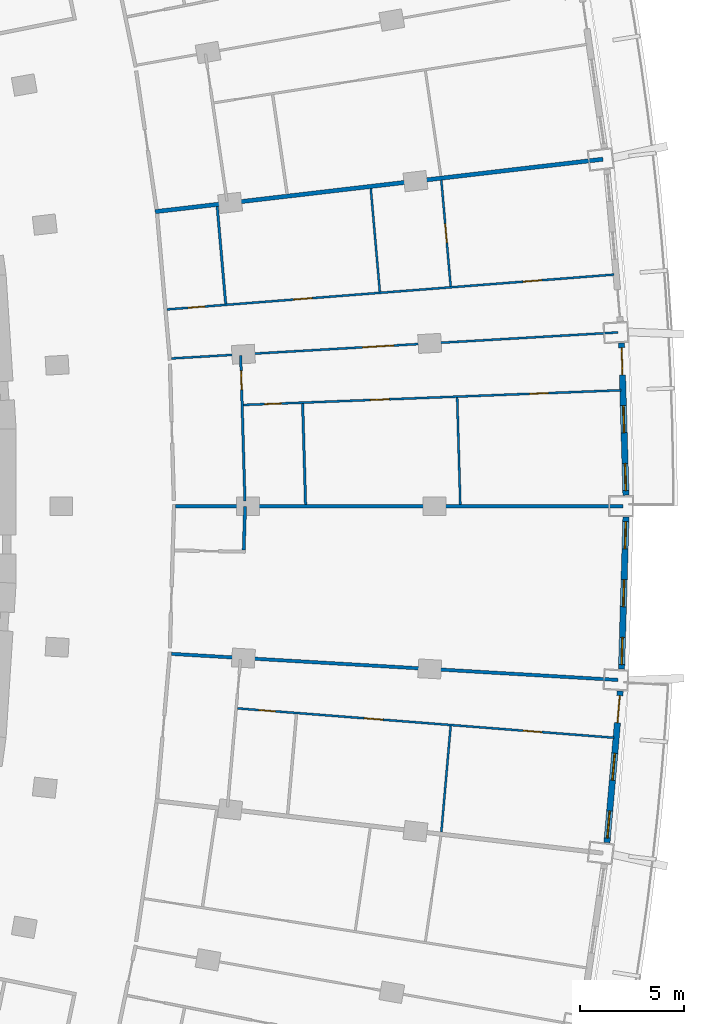
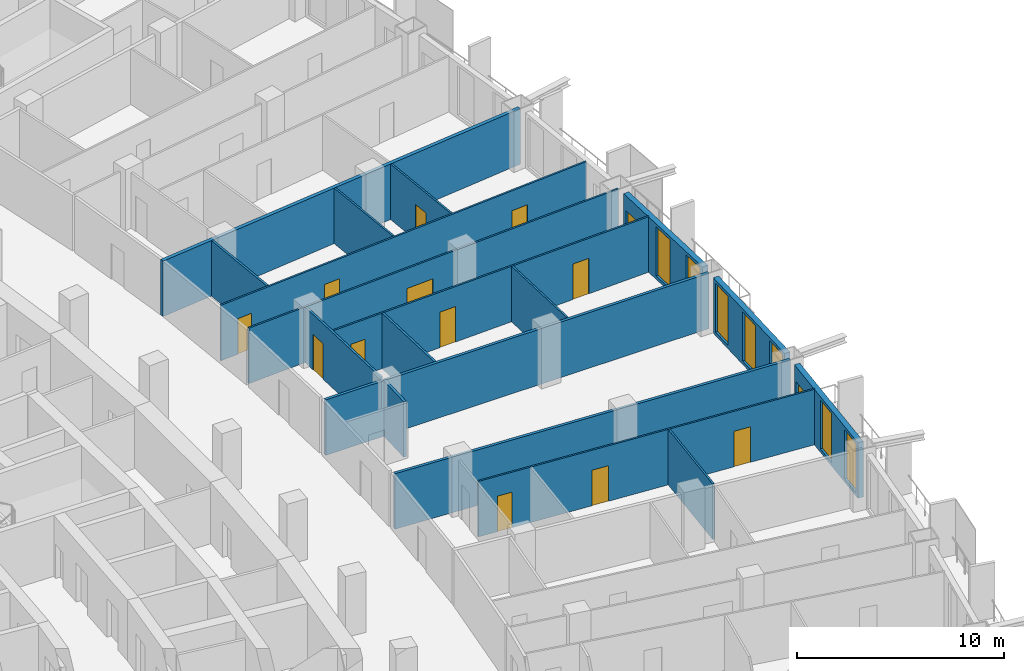
# One storey, part 18 of 25: 18 walls, 14 doors, 7 windows, 21 openings.
"""IFC4 building model written with IfcOpenShell, lengths in metres."""

from ifc_helpers import new_model, si_unit, direction, frame, frame_2d, origin, place, context, subcontext, project, spatial, rectangle, extrude, material, layer, layer_set, type_object, element, fill, save


model = new_model("IFC4")

# Units and contexts
model_context = context("Model", 3, precision=1e-05, world=origin(), true_north=direction((0.0, 1.0)))
body_context = subcontext(model_context, "Body", "Model", "MODEL_VIEW")
ifc_project = project(units=[si_unit("LENGTHUNIT", "METRE"), si_unit("AREAUNIT", "SQUARE_METRE"), si_unit("VOLUMEUNIT", "CUBIC_METRE"), si_unit("PLANEANGLEUNIT", "RADIAN"), si_unit("MASSUNIT", "GRAM", prefix="KILO")], contexts=[model_context])

# Site, building, storey
site_placement = place(None, origin())
site = spatial("IfcSite", under=ifc_project, at=site_placement, CompositionType="ELEMENT")
building_placement = place(site_placement, origin())
building = spatial("IfcBuilding", under=site, at=building_placement, Name="Alderwake Tower", CompositionType="ELEMENT")
storey_placement = place(building_placement, frame((0.0, 0.0, 57.199951171875)))
storey = spatial("IfcBuildingStorey", under=building, at=storey_placement, Name="L13", CompositionType="ELEMENT", Elevation=57.199951171875)

# Walls
ifc_material_1 = material(Name="Gypsum board on metal studs, rated")
ifc_layer_1 = layer(ifc_material_1, 0.159912109375)
ifc_layer_set_1 = layer_set([ifc_layer_1], Name="Corridor wall 160")
wall_type_1 = type_object("IfcWallType", Name="Corridor wall 160", PredefinedType="PARTITIONING", material=ifc_layer_set_1)
wall_1_placement = place(storey_placement, frame((62.45703125, 52.679931640625, 0.0), z_axis=(0.0, 0.0, 1.0), x_axis=(-0.998297563593, 0.058326447893, 0.0)))
element("IfcWall", 1, at=wall_1_placement, inside=storey, type_object=wall_type_1, Name="WL/L13/W39", PredefinedType="PARTITIONING", context=body_context, shape_type="SweptSolid", body=[
    extrude(rectangle(XDim=21.41845703125, YDim=0.159912109375, at=frame_2d((10.709228515625, 0.0))), origin(), (0.0, 0.0, 1.0), 3.280029296875),
])
wall_2_placement = place(storey_placement, frame((62.699951171875, 60.9990234375, 0.0), z_axis=(0.0, 0.0, 1.0), x_axis=(-1.0, 0.0, 0.0)))
element("IfcWall", 2, at=wall_2_placement, inside=storey, type_object=wall_type_1, Name="WL/L13/W40", PredefinedType="PARTITIONING", context=body_context, shape_type="SweptSolid", body=[
    extrude(rectangle(XDim=21.4208984375, YDim=0.159912109375, at=frame_2d((10.71044921875, 0.0))), origin(), (0.0, 0.0, 1.0), 3.280029296875),
])

# Wall, openings, door, windows
ifc_material_2 = material(Name="Precast concrete C50/60 spandrel panel", Category="concrete")
ifc_layer_2 = layer(ifc_material_2, 0.300048828125)
ifc_layer_set_2 = layer_set([ifc_layer_2], Name="External wall EW1 Precast concrete C50/60 spandrel")
wall_type_2 = type_object("IfcWallType", Name="External wall EW1 Precast concrete C50/60 spandrel", PredefinedType="SOLIDWALL", material=ifc_layer_set_2)
wall_3_placement = place(storey_placement, frame((61.9248046875, 44.89453125, 0.0), z_axis=(0.0, 0.0, 1.0), x_axis=(0.087361569519, 0.996176669156, 0.0)))
wall_3 = element("IfcWall", 3, at=wall_3_placement, inside=storey, type_object=wall_type_2, Name="External wall 15", PredefinedType="SOLIDWALL", context=body_context, shape_type="SweptSolid", body=[
    extrude(rectangle(XDim=7.28271484375, YDim=0.300048828125, at=frame_2d((3.641357421875, 0.0))), origin(), (0.0, 0.0, 1.0), 3.280029296875),
])
opening_1_placement = place(wall_3_placement, frame((0.218994140625, 0.0, 0.199951171875)))
opening_1 = element("IfcOpeningElement", 4, at=opening_1_placement, cuts=wall_3, Name="Opening W1", PredefinedType="OPENING", context=body_context, shape_type="SweptSolid", body=[
    extrude(rectangle(XDim=1.300048828125, YDim=2.89990234375, at=frame_2d((0.64990234375, 1.449951171875))), frame((0.0, 0.159912109375, 0.0), z_axis=(0.0, -1.0, 0.0), x_axis=(1.0, 0.0, 0.0)), (0.0, 0.0, 1.0), 0.320068359375),
])
opening_2_placement = place(wall_3_placement, frame((2.9912109375, 0.0, 0.199951171875)))
opening_2 = element("IfcOpeningElement", 5, at=opening_2_placement, cuts=wall_3, Name="Opening W1", PredefinedType="OPENING", context=body_context, shape_type="SweptSolid", body=[
    extrude(rectangle(XDim=1.300048828125, YDim=2.89990234375, at=frame_2d((0.64990234375, 1.449951171875))), frame((0.0, 0.159912109375, 0.0), z_axis=(0.0, -1.0, 0.0), x_axis=(1.0, 0.0, 0.0)), (0.0, 0.0, 1.0), 0.320068359375),
])
opening_3_placement = place(wall_3_placement, frame((5.763671875, 0.0, 0.0)))
opening_3 = element("IfcOpeningElement", 6, at=opening_3_placement, cuts=wall_3, Name="Opening D06", PredefinedType="OPENING", context=body_context, shape_type="SweptSolid", body=[
    extrude(rectangle(XDim=1.300048828125, YDim=2.39990234375, at=frame_2d((0.64990234375, 1.199951171875))), frame((0.0, 0.159912109375, 0.0), z_axis=(0.0, -1.0, 0.0), x_axis=(1.0, 0.0, 0.0)), (0.0, 0.0, 1.0), 0.320068359375),
])
ifc_material_3 = material(Name="Bronze tinted glass in aluminium frame", Category="aluminium")
door_type_1 = type_object("IfcDoorType", Name="Balcony door BD sliding", OperationType="SLIDING_TO_LEFT", PredefinedType="DOOR", material=ifc_material_3)
door_1_placement = place(opening_3_placement, origin())
door_1 = element("IfcDoor", 7, at=door_1_placement, inside=storey, type_object=door_type_1, Name="Door D06", OperationType="SLIDING_TO_LEFT", OverallHeight=2.39990234375, OverallWidth=1.300048828125, PredefinedType="DOOR", context=body_context, shape_type="SweptSolid", body=[
    extrude(rectangle(XDim=1.300048828125, YDim=2.39990234375, at=frame_2d((0.64990234375, 1.199951171875))), frame((0.0, 0.02490234375, 0.0), z_axis=(0.0, -1.0, 0.0), x_axis=(1.0, 0.0, 0.0)), (0.0, 0.0, 1.0), 0.050048828125),
])
fill(opening_3, door_1)
ifc_material_4 = material(Name="Bronze tinted glass in aluminium frame", Category="aluminium")
window_type = type_object("IfcWindowType", Name="Window W1 tall fixed and vent", PartitioningType="DOUBLE_PANEL_VERTICAL", PredefinedType="WINDOW", material=ifc_material_4)
window_1_placement = place(opening_1_placement, origin())
window_1 = element("IfcWindow", 8, at=window_1_placement, inside=storey, type_object=window_type, Name="Window W1 tall fixed and vent", OverallHeight=2.89990234375, OverallWidth=1.300048828125, PartitioningType="DOUBLE_PANEL_VERTICAL", PredefinedType="WINDOW", context=body_context, shape_type="SweptSolid", body=[
    extrude(rectangle(XDim=1.300048828125, YDim=2.89990234375, at=frame_2d((0.64990234375, 1.449951171875))), frame((0.0, 0.030029296875, 0.0), z_axis=(0.0, -1.0, 0.0), x_axis=(1.0, 0.0, 0.0)), (0.0, 0.0, 1.0), 0.06005859375),
])
fill(opening_1, window_1)
window_2_placement = place(opening_2_placement, origin())
window_2 = element("IfcWindow", 9, at=window_2_placement, inside=storey, type_object=window_type, Name="Window W1 tall fixed and vent", OverallHeight=2.89990234375, OverallWidth=1.300048828125, PartitioningType="DOUBLE_PANEL_VERTICAL", PredefinedType="WINDOW", context=body_context, shape_type="SweptSolid", body=[
    extrude(rectangle(XDim=1.300048828125, YDim=2.89990234375, at=frame_2d((0.64990234375, 1.449951171875))), frame((0.0, 0.030029296875, 0.0), z_axis=(0.0, -1.0, 0.0), x_axis=(1.0, 0.0, 0.0)), (0.0, 0.0, 1.0), 0.06005859375),
])
fill(opening_2, window_2)

# Wall, openings, windows
wall_4_placement = place(storey_placement, frame((62.622314453125, 53.1962890625, 0.0), z_axis=(0.0, 0.0, 1.0), x_axis=(0.029166550581, 0.999574565666, 0.0)))
wall_4 = element("IfcWall", 10, at=wall_4_placement, inside=storey, type_object=wall_type_2, Name="External wall 16", PredefinedType="SOLIDWALL", context=body_context, shape_type="SweptSolid", body=[
    extrude(rectangle(XDim=7.282470703125, YDim=0.300048828125, at=frame_2d((3.64111328125, 0.0))), origin(), (0.0, 0.0, 1.0), 3.280029296875),
])
opening_4_placement = place(wall_4_placement, frame((0.218994140625, 0.0, 0.199951171875)))
opening_4 = element("IfcOpeningElement", 11, at=opening_4_placement, cuts=wall_4, Name="Opening W1", PredefinedType="OPENING", context=body_context, shape_type="SweptSolid", body=[
    extrude(rectangle(XDim=1.300048828125, YDim=2.89990234375, at=frame_2d((0.64990234375, 1.449951171875))), frame((0.0, 0.159912109375, 0.0), z_axis=(0.0, -1.0, 0.0), x_axis=(1.0, 0.0, 0.0)), (0.0, 0.0, 1.0), 0.320068359375),
])
opening_5_placement = place(wall_4_placement, frame((2.9912109375, 0.0, 0.199951171875)))
opening_5 = element("IfcOpeningElement", 12, at=opening_5_placement, cuts=wall_4, Name="Opening W1", PredefinedType="OPENING", context=body_context, shape_type="SweptSolid", body=[
    extrude(rectangle(XDim=1.300048828125, YDim=2.89990234375, at=frame_2d((0.64990234375, 1.449951171875))), frame((0.0, 0.159912109375, 0.0), z_axis=(0.0, -1.0, 0.0), x_axis=(1.0, 0.0, 0.0)), (0.0, 0.0, 1.0), 0.320068359375),
])
opening_6_placement = place(wall_4_placement, frame((5.763671875, 0.0, 0.199951171875)))
opening_6 = element("IfcOpeningElement", 13, at=opening_6_placement, cuts=wall_4, Name="Opening W1", PredefinedType="OPENING", context=body_context, shape_type="SweptSolid", body=[
    extrude(rectangle(XDim=1.300048828125, YDim=2.89990234375, at=frame_2d((0.64990234375, 1.449951171875))), frame((0.0, 0.159912109375, 0.0), z_axis=(0.0, -1.0, 0.0), x_axis=(1.0, 0.0, 0.0)), (0.0, 0.0, 1.0), 0.320068359375),
])
window_3_placement = place(opening_4_placement, origin())
window_3 = element("IfcWindow", 14, at=window_3_placement, inside=storey, type_object=window_type, Name="Window W1 tall fixed and vent", OverallHeight=2.89990234375, OverallWidth=1.300048828125, PartitioningType="DOUBLE_PANEL_VERTICAL", PredefinedType="WINDOW", context=body_context, shape_type="SweptSolid", body=[
    extrude(rectangle(XDim=1.300048828125, YDim=2.89990234375, at=frame_2d((0.64990234375, 1.449951171875))), frame((0.0, 0.030029296875, 0.0), z_axis=(0.0, -1.0, 0.0), x_axis=(1.0, 0.0, 0.0)), (0.0, 0.0, 1.0), 0.06005859375),
])
fill(opening_4, window_3)
window_4_placement = place(opening_5_placement, origin())
window_4 = element("IfcWindow", 15, at=window_4_placement, inside=storey, type_object=window_type, Name="Window W1 tall fixed and vent", OverallHeight=2.89990234375, OverallWidth=1.300048828125, PartitioningType="DOUBLE_PANEL_VERTICAL", PredefinedType="WINDOW", context=body_context, shape_type="SweptSolid", body=[
    extrude(rectangle(XDim=1.300048828125, YDim=2.89990234375, at=frame_2d((0.64990234375, 1.449951171875))), frame((0.0, 0.030029296875, 0.0), z_axis=(0.0, -1.0, 0.0), x_axis=(1.0, 0.0, 0.0)), (0.0, 0.0, 1.0), 0.06005859375),
])
fill(opening_5, window_4)
window_5_placement = place(opening_6_placement, origin())
window_5 = element("IfcWindow", 16, at=window_5_placement, inside=storey, type_object=window_type, Name="Window W1 tall fixed and vent", OverallHeight=2.89990234375, OverallWidth=1.300048828125, PartitioningType="DOUBLE_PANEL_VERTICAL", PredefinedType="WINDOW", context=body_context, shape_type="SweptSolid", body=[
    extrude(rectangle(XDim=1.300048828125, YDim=2.89990234375, at=frame_2d((0.64990234375, 1.449951171875))), frame((0.0, 0.030029296875, 0.0), z_axis=(0.0, -1.0, 0.0), x_axis=(1.0, 0.0, 0.0)), (0.0, 0.0, 1.0), 0.06005859375),
])
fill(opening_6, window_5)

# Wall, openings, door, windows
wall_5_placement = place(storey_placement, frame((62.834716796875, 61.5244140625, 0.0), z_axis=(0.0, 0.0, 1.0), x_axis=(-0.029166550581, 0.999574565666, 0.0)))
wall_5 = element("IfcWall", 17, at=wall_5_placement, inside=storey, type_object=wall_type_2, Name="External wall 17", PredefinedType="SOLIDWALL", context=body_context, shape_type="SweptSolid", body=[
    extrude(rectangle(XDim=7.282470703125, YDim=0.300048828125, at=frame_2d((3.64111328125, 0.0))), origin(), (0.0, 0.0, 1.0), 3.280029296875),
])
opening_7_placement = place(wall_5_placement, frame((0.218994140625, 0.0, 0.199951171875)))
opening_7 = element("IfcOpeningElement", 18, at=opening_7_placement, cuts=wall_5, Name="Opening W1", PredefinedType="OPENING", context=body_context, shape_type="SweptSolid", body=[
    extrude(rectangle(XDim=1.300048828125, YDim=2.89990234375, at=frame_2d((0.64990234375, 1.449951171875))), frame((0.0, 0.159912109375, 0.0), z_axis=(0.0, -1.0, 0.0), x_axis=(1.0, 0.0, 0.0)), (0.0, 0.0, 1.0), 0.320068359375),
])
opening_8_placement = place(wall_5_placement, frame((2.9912109375, 0.0, 0.199951171875)))
opening_8 = element("IfcOpeningElement", 19, at=opening_8_placement, cuts=wall_5, Name="Opening W1", PredefinedType="OPENING", context=body_context, shape_type="SweptSolid", body=[
    extrude(rectangle(XDim=1.300048828125, YDim=2.89990234375, at=frame_2d((0.64990234375, 1.449951171875))), frame((0.0, 0.159912109375, 0.0), z_axis=(0.0, -1.0, 0.0), x_axis=(1.0, 0.0, 0.0)), (0.0, 0.0, 1.0), 0.320068359375),
])
opening_9_placement = place(wall_5_placement, frame((5.763671875, 0.0, 0.0)))
opening_9 = element("IfcOpeningElement", 20, at=opening_9_placement, cuts=wall_5, Name="Opening D07", PredefinedType="OPENING", context=body_context, shape_type="SweptSolid", body=[
    extrude(rectangle(XDim=1.300048828125, YDim=2.39990234375, at=frame_2d((0.64990234375, 1.199951171875))), frame((0.0, 0.159912109375, 0.0), z_axis=(0.0, -1.0, 0.0), x_axis=(1.0, 0.0, 0.0)), (0.0, 0.0, 1.0), 0.320068359375),
])
door_2_placement = place(opening_9_placement, origin())
door_2 = element("IfcDoor", 21, at=door_2_placement, inside=storey, type_object=door_type_1, Name="Door D07", OperationType="SLIDING_TO_LEFT", OverallHeight=2.39990234375, OverallWidth=1.300048828125, PredefinedType="DOOR", context=body_context, shape_type="SweptSolid", body=[
    extrude(rectangle(XDim=1.300048828125, YDim=2.39990234375, at=frame_2d((0.64990234375, 1.199951171875))), frame((0.0, 0.02490234375, 0.0), z_axis=(0.0, -1.0, 0.0), x_axis=(1.0, 0.0, 0.0)), (0.0, 0.0, 1.0), 0.050048828125),
])
fill(opening_9, door_2)
window_6_placement = place(opening_7_placement, origin())
window_6 = element("IfcWindow", 22, at=window_6_placement, inside=storey, type_object=window_type, Name="Window W1 tall fixed and vent", OverallHeight=2.89990234375, OverallWidth=1.300048828125, PartitioningType="DOUBLE_PANEL_VERTICAL", PredefinedType="WINDOW", context=body_context, shape_type="SweptSolid", body=[
    extrude(rectangle(XDim=1.300048828125, YDim=2.89990234375, at=frame_2d((0.64990234375, 1.449951171875))), frame((0.0, 0.030029296875, 0.0), z_axis=(0.0, -1.0, 0.0), x_axis=(1.0, 0.0, 0.0)), (0.0, 0.0, 1.0), 0.06005859375),
])
fill(opening_7, window_6)
window_7_placement = place(opening_8_placement, origin())
window_7 = element("IfcWindow", 23, at=window_7_placement, inside=storey, type_object=window_type, Name="Window W1 tall fixed and vent", OverallHeight=2.89990234375, OverallWidth=1.300048828125, PartitioningType="DOUBLE_PANEL_VERTICAL", PredefinedType="WINDOW", context=body_context, shape_type="SweptSolid", body=[
    extrude(rectangle(XDim=1.300048828125, YDim=2.89990234375, at=frame_2d((0.64990234375, 1.449951171875))), frame((0.0, 0.030029296875, 0.0), z_axis=(0.0, -1.0, 0.0), x_axis=(1.0, 0.0, 0.0)), (0.0, 0.0, 1.0), 0.06005859375),
])
fill(opening_8, window_7)

# Walls
ifc_material_5 = material(Name="Dense block masonry wall", Category="masonry")
ifc_layer_3 = layer(ifc_material_5, 0.199951171875)
ifc_layer_set_3 = layer_set([ifc_layer_3], Name="Party wall 200")
wall_type_3 = type_object("IfcWallType", Name="Party wall 200", PredefinedType="SOLIDWALL", material=ifc_layer_set_3)
wall_6_placement = place(storey_placement, frame((40.297607421875, 75.0986328125, 0.0), z_axis=(0.0, 0.0, 1.0), x_axis=(0.993204785453, 0.116379784123, 0.0)))
element("IfcWall", 24, at=wall_6_placement, inside=storey, type_object=wall_type_3, Name="WL/L13/W07", PredefinedType="SOLIDWALL", context=body_context, shape_type="SweptSolid", body=[
    extrude(rectangle(XDim=21.580078125, YDim=0.199951171875, at=frame_2d((10.7900390625, 0.0))), origin(), (0.0, 0.0, 1.0), 3.280029296875),
])
ifc_material_6 = material(Name="Gypsum shaft wall system, rated")
ifc_layer_4 = layer(ifc_material_6, 0.14990234375)
ifc_layer_set_4 = layer_set([ifc_layer_4], Name="Riser and shaft wall 150")
wall_type_4 = type_object("IfcWallType", Name="Riser and shaft wall 150", PredefinedType="PARTITIONING", material=ifc_layer_set_4)
wall_7_placement = place(storey_placement, frame((44.537353515625, 58.89599609375, 0.0), z_axis=(0.0, 0.0, 1.0), x_axis=(0.030225283969, 0.999543111731, 0.0)))
element("IfcWall", 25, at=wall_7_placement, inside=storey, type_object=wall_type_4, Name="WL/L13/W12", PredefinedType="PARTITIONING", context=body_context, shape_type="SweptSolid", body=[
    extrude(rectangle(XDim=2.083984375, YDim=0.14990234375, at=frame_2d((1.0419921875, 0.0))), origin(), (0.0, 0.0, 1.0), 3.280029296875),
])

# Wall, openings, doors
ifc_material_7 = material(Name="Gypsum board on metal studs")
ifc_layer_5 = layer(ifc_material_7, 0.10009765625)
ifc_layer_set_5 = layer_set([ifc_layer_5], Name="Unit partition 100")
wall_type_5 = type_object("IfcWallType", Name="Unit partition 100", PredefinedType="PARTITIONING", material=ifc_layer_set_5)
wall_8_placement = place(storey_placement, frame((40.867919921875, 70.419189453125, 0.0), z_axis=(0.0, 0.0, 1.0), x_axis=(0.996976285656, 0.07770640797, 0.0)))
wall_8 = element("IfcWall", 26, at=wall_8_placement, inside=storey, type_object=wall_type_5, Name="WL/L13/W70", PredefinedType="PARTITIONING", context=body_context, shape_type="SweptSolid", body=[
    extrude(rectangle(XDim=21.4619140625, YDim=0.10009765625, at=frame_2d((10.73095703125, 0.0))), origin(), (0.0, 0.0, 1.0), 3.280029296875),
])
opening_10_placement = place(wall_8_placement, frame((6.0703125, 0.0, 0.0)))
opening_10 = element("IfcOpeningElement", 27, at=opening_10_placement, cuts=wall_8, Name="Opening R03-U07.6", PredefinedType="OPENING", context=body_context, shape_type="SweptSolid", body=[
    extrude(rectangle(XDim=0.89990234375, YDim=2.10009765625, at=frame_2d((0.449951171875, 1.050048828125))), frame((0.0, 0.06005859375, 0.0), z_axis=(0.0, -1.0, 0.0), x_axis=(1.0, 0.0, 0.0)), (0.0, 0.0, 1.0), 0.1201171875),
])
opening_11_placement = place(wall_8_placement, frame((1.009521484375, 0.0, 0.0)))
opening_11 = element("IfcOpeningElement", 28, at=opening_11_placement, cuts=wall_8, Name="Opening R03-U07.7", PredefinedType="OPENING", context=body_context, shape_type="SweptSolid", body=[
    extrude(rectangle(XDim=0.800048828125, YDim=2.10009765625, at=frame_2d((0.39990234375, 1.050048828125))), frame((0.0, 0.06005859375, 0.0), z_axis=(0.0, -1.0, 0.0), x_axis=(1.0, 0.0, 0.0)), (0.0, 0.0, 1.0), 0.1201171875),
])
opening_12_placement = place(wall_8_placement, frame((17.0908203125, 0.0, 0.0)))
opening_12 = element("IfcOpeningElement", 29, at=opening_12_placement, cuts=wall_8, Name="Opening R03-U07.8", PredefinedType="OPENING", context=body_context, shape_type="SweptSolid", body=[
    extrude(rectangle(XDim=0.89990234375, YDim=2.10009765625, at=frame_2d((0.449951171875, 1.050048828125))), frame((0.0, 0.06005859375, 0.0), z_axis=(0.0, -1.0, 0.0), x_axis=(1.0, 0.0, 0.0)), (0.0, 0.0, 1.0), 0.1201171875),
])
ifc_material_8 = material(Name="Painted timber leaf", Category="wood")
door_type_2 = type_object("IfcDoorType", Name="Bathroom door 800", OperationType="SINGLE_SWING_LEFT", PredefinedType="DOOR", material=ifc_material_8)
door_3_placement = place(opening_11_placement, origin())
door_3 = element("IfcDoor", 30, at=door_3_placement, inside=storey, type_object=door_type_2, Name="DR/L13/U07.7", OperationType="SINGLE_SWING_LEFT", OverallHeight=2.10009765625, OverallWidth=0.800048828125, PredefinedType="DOOR", context=body_context, shape_type="SweptSolid", body=[
    extrude(rectangle(XDim=0.800048828125, YDim=2.10009765625, at=frame_2d((0.39990234375, 1.050048828125))), frame((0.0, 0.02490234375, 0.0), z_axis=(0.0, -1.0, 0.0), x_axis=(1.0, 0.0, 0.0)), (0.0, 0.0, 1.0), 0.050048828125),
])
fill(opening_11, door_3)
ifc_material_9 = material(Name="Painted timber leaf", Category="wood")
door_type_3 = type_object("IfcDoorType", Name="Room door 900", OperationType="SINGLE_SWING_LEFT", PredefinedType="DOOR", material=ifc_material_9)
door_4_placement = place(opening_10_placement, origin())
door_4 = element("IfcDoor", 31, at=door_4_placement, inside=storey, type_object=door_type_3, Name="DR/L13/U07.6", OperationType="SINGLE_SWING_LEFT", OverallHeight=2.10009765625, OverallWidth=0.89990234375, PredefinedType="DOOR", context=body_context, shape_type="SweptSolid", body=[
    extrude(rectangle(XDim=0.89990234375, YDim=2.10009765625, at=frame_2d((0.449951171875, 1.050048828125))), frame((0.0, 0.02490234375, 0.0), z_axis=(0.0, -1.0, 0.0), x_axis=(1.0, 0.0, 0.0)), (0.0, 0.0, 1.0), 0.050048828125),
])
fill(opening_10, door_4)
door_5_placement = place(opening_12_placement, origin())
door_5 = element("IfcDoor", 32, at=door_5_placement, inside=storey, type_object=door_type_3, Name="DR/L13/U07.8", OperationType="SINGLE_SWING_LEFT", OverallHeight=2.10009765625, OverallWidth=0.89990234375, PredefinedType="DOOR", context=body_context, shape_type="SweptSolid", body=[
    extrude(rectangle(XDim=0.89990234375, YDim=2.10009765625, at=frame_2d((0.449951171875, 1.050048828125))), frame((0.0, 0.02490234375, 0.0), z_axis=(0.0, -1.0, 0.0), x_axis=(1.0, 0.0, 0.0)), (0.0, 0.0, 1.0), 0.050048828125),
])
fill(opening_12, door_5)

# Wall, opening, door
wall_9_placement = place(storey_placement, frame((41.074951171875, 68.07177734375, 0.0), z_axis=(0.0, 0.0, 1.0), x_axis=(0.99830551882, 0.058190128836, 0.0)))
wall_9 = element("IfcWall", 33, at=wall_9_placement, inside=storey, type_object=wall_type_5, Name="WL/L13/W71", PredefinedType="PARTITIONING", context=body_context, shape_type="SweptSolid", body=[
    extrude(rectangle(XDim=21.41845703125, YDim=0.10009765625, at=frame_2d((10.709228515625, 0.0))), origin(), (0.0, 0.0, 1.0), 3.280029296875),
])
opening_13_placement = place(wall_9_placement, frame((9.164306640625, 0.0, 0.0)))
opening_13 = element("IfcOpeningElement", 34, at=opening_13_placement, cuts=wall_9, Name="Opening R03-U07.10", PredefinedType="OPENING", context=body_context, shape_type="SweptSolid", body=[
    extrude(rectangle(XDim=1.5, YDim=2.10009765625, at=frame_2d((0.75, 1.050048828125))), frame((0.0, 0.06005859375, 0.0), z_axis=(0.0, -1.0, 0.0), x_axis=(1.0, 0.0, 0.0)), (0.0, 0.0, 1.0), 0.1201171875),
])
ifc_material_10 = material(Name="Painted timber leaves", Category="wood")
door_type_4 = type_object("IfcDoorType", Name="Double leaf door 1500", OperationType="DOUBLE_DOOR_SINGLE_SWING", PredefinedType="DOOR", material=ifc_material_10)
door_6_placement = place(opening_13_placement, origin())
door_6 = element("IfcDoor", 35, at=door_6_placement, inside=storey, type_object=door_type_4, Name="DR/L13/U07.10", OperationType="DOUBLE_DOOR_SINGLE_SWING", OverallHeight=2.10009765625, OverallWidth=1.5, PredefinedType="DOOR", context=body_context, shape_type="SweptSolid", body=[
    extrude(rectangle(XDim=1.5, YDim=2.10009765625, at=frame_2d((0.75, 1.050048828125))), frame((0.0, 0.02490234375, 0.0), z_axis=(0.0, -1.0, 0.0), x_axis=(1.0, 0.0, 0.0)), (0.0, 0.0, 1.0), 0.050048828125),
])
fill(opening_13, door_6)

# Wall, openings, doors
wall_10_placement = place(storey_placement, frame((62.264892578125, 49.9140625, 0.0), z_axis=(0.0, 0.0, 1.0), x_axis=(-0.996976391014, 0.077705056217, 0.0)))
wall_10 = element("IfcWall", 36, at=wall_10_placement, inside=storey, type_object=wall_type_5, Name="WL/L13/W73", PredefinedType="PARTITIONING", context=body_context, shape_type="SweptSolid", body=[
    extrude(rectangle(XDim=18.084716796875, YDim=0.10009765625, at=frame_2d((9.04248046875, 0.0))), origin(), (0.0, 0.0, 1.0), 3.280029296875),
])
opening_14_placement = place(wall_10_placement, frame((11.09326171875, 0.0, 0.0)))
opening_14 = element("IfcOpeningElement", 37, at=opening_14_placement, cuts=wall_10, Name="Opening R03-U06.1", PredefinedType="OPENING", context=body_context, shape_type="SweptSolid", body=[
    extrude(rectangle(XDim=0.89990234375, YDim=2.10009765625, at=frame_2d((0.449951171875, 1.050048828125))), frame((0.0, 0.06005859375, 0.0), z_axis=(0.0, -1.0, 0.0), x_axis=(1.0, 0.0, 0.0)), (0.0, 0.0, 1.0), 0.1201171875),
])
opening_15_placement = place(wall_10_placement, frame((16.2646484375, 0.0, 0.0)))
opening_15 = element("IfcOpeningElement", 38, at=opening_15_placement, cuts=wall_10, Name="Opening R03-U06.4", PredefinedType="OPENING", context=body_context, shape_type="SweptSolid", body=[
    extrude(rectangle(XDim=0.800048828125, YDim=2.10009765625, at=frame_2d((0.39990234375, 1.050048828125))), frame((0.0, 0.06005859375, 0.0), z_axis=(0.0, -1.0, 0.0), x_axis=(1.0, 0.0, 0.0)), (0.0, 0.0, 1.0), 0.1201171875),
])
opening_16_placement = place(wall_10_placement, frame((3.470947265625, 0.0, 0.0)))
opening_16 = element("IfcOpeningElement", 39, at=opening_16_placement, cuts=wall_10, Name="Opening R03-U06.5", PredefinedType="OPENING", context=body_context, shape_type="SweptSolid", body=[
    extrude(rectangle(XDim=0.89990234375, YDim=2.10009765625, at=frame_2d((0.449951171875, 1.050048828125))), frame((0.0, 0.06005859375, 0.0), z_axis=(0.0, -1.0, 0.0), x_axis=(1.0, 0.0, 0.0)), (0.0, 0.0, 1.0), 0.1201171875),
])
door_7_placement = place(opening_15_placement, origin())
door_7 = element("IfcDoor", 40, at=door_7_placement, inside=storey, type_object=door_type_2, Name="DR/L13/U06.4", OperationType="SINGLE_SWING_LEFT", OverallHeight=2.10009765625, OverallWidth=0.800048828125, PredefinedType="DOOR", context=body_context, shape_type="SweptSolid", body=[
    extrude(rectangle(XDim=0.800048828125, YDim=2.10009765625, at=frame_2d((0.39990234375, 1.050048828125))), frame((0.0, 0.02490234375, 0.0), z_axis=(0.0, -1.0, 0.0), x_axis=(1.0, 0.0, 0.0)), (0.0, 0.0, 1.0), 0.050048828125),
])
fill(opening_15, door_7)
door_8_placement = place(opening_14_placement, origin())
door_8 = element("IfcDoor", 41, at=door_8_placement, inside=storey, type_object=door_type_3, Name="DR/L13/U06.1", OperationType="SINGLE_SWING_LEFT", OverallHeight=2.10009765625, OverallWidth=0.89990234375, PredefinedType="DOOR", context=body_context, shape_type="SweptSolid", body=[
    extrude(rectangle(XDim=0.89990234375, YDim=2.10009765625, at=frame_2d((0.449951171875, 1.050048828125))), frame((0.0, 0.02490234375, 0.0), z_axis=(0.0, -1.0, 0.0), x_axis=(1.0, 0.0, 0.0)), (0.0, 0.0, 1.0), 0.050048828125),
])
fill(opening_14, door_8)
door_9_placement = place(opening_16_placement, origin())
door_9 = element("IfcDoor", 42, at=door_9_placement, inside=storey, type_object=door_type_3, Name="DR/L13/U06.5", OperationType="SINGLE_SWING_LEFT", OverallHeight=2.10009765625, OverallWidth=0.89990234375, PredefinedType="DOOR", context=body_context, shape_type="SweptSolid", body=[
    extrude(rectangle(XDim=0.89990234375, YDim=2.10009765625, at=frame_2d((0.449951171875, 1.050048828125))), frame((0.0, 0.02490234375, 0.0), z_axis=(0.0, -1.0, 0.0), x_axis=(1.0, 0.0, 0.0)), (0.0, 0.0, 1.0), 0.050048828125),
])
fill(opening_16, door_9)

wall_11_placement = place(storey_placement, frame((62.589111328125, 66.549072265625, 0.0), z_axis=(0.0, 0.0, 1.0), x_axis=(-0.999244267226, -0.038870225309, 0.0)))
wall_11 = element("IfcWall", 43, at=wall_11_placement, inside=storey, type_object=wall_type_5, Name="WL/L13/W74", PredefinedType="PARTITIONING", context=body_context, shape_type="SweptSolid", body=[
    extrude(rectangle(XDim=18.082763671875, YDim=0.10009765625, at=frame_2d((9.04150390625, 0.0))), origin(), (0.0, 0.0, 1.0), 3.280029296875),
])
opening_17_placement = place(wall_11_placement, frame((11.09375, 0.0, 0.0)))
opening_17 = element("IfcOpeningElement", 44, at=opening_17_placement, cuts=wall_11, Name="Opening R03-U07.1", PredefinedType="OPENING", context=body_context, shape_type="SweptSolid", body=[
    extrude(rectangle(XDim=0.89990234375, YDim=2.10009765625, at=frame_2d((0.449951171875, 1.050048828125))), frame((0.0, 0.06005859375, 0.0), z_axis=(0.0, -1.0, 0.0), x_axis=(1.0, 0.0, 0.0)), (0.0, 0.0, 1.0), 0.1201171875),
])
opening_18_placement = place(wall_11_placement, frame((16.263916015625, 0.0, 0.0)))
opening_18 = element("IfcOpeningElement", 45, at=opening_18_placement, cuts=wall_11, Name="Opening R03-U07.4", PredefinedType="OPENING", context=body_context, shape_type="SweptSolid", body=[
    extrude(rectangle(XDim=0.800048828125, YDim=2.10009765625, at=frame_2d((0.39990234375, 1.050048828125))), frame((0.0, 0.06005859375, 0.0), z_axis=(0.0, -1.0, 0.0), x_axis=(1.0, 0.0, 0.0)), (0.0, 0.0, 1.0), 0.1201171875),
])
opening_19_placement = place(wall_11_placement, frame((3.471435546875, 0.0, 0.0)))
opening_19 = element("IfcOpeningElement", 46, at=opening_19_placement, cuts=wall_11, Name="Opening R03-U07.5", PredefinedType="OPENING", context=body_context, shape_type="SweptSolid", body=[
    extrude(rectangle(XDim=0.89990234375, YDim=2.10009765625, at=frame_2d((0.449951171875, 1.050048828125))), frame((0.0, 0.06005859375, 0.0), z_axis=(0.0, -1.0, 0.0), x_axis=(1.0, 0.0, 0.0)), (0.0, 0.0, 1.0), 0.1201171875),
])
door_10_placement = place(opening_18_placement, origin())
door_10 = element("IfcDoor", 47, at=door_10_placement, inside=storey, type_object=door_type_2, Name="DR/L13/U07.4", OperationType="SINGLE_SWING_LEFT", OverallHeight=2.10009765625, OverallWidth=0.800048828125, PredefinedType="DOOR", context=body_context, shape_type="SweptSolid", body=[
    extrude(rectangle(XDim=0.800048828125, YDim=2.10009765625, at=frame_2d((0.39990234375, 1.050048828125))), frame((0.0, 0.02490234375, 0.0), z_axis=(0.0, -1.0, 0.0), x_axis=(1.0, 0.0, 0.0)), (0.0, 0.0, 1.0), 0.050048828125),
])
fill(opening_18, door_10)
door_11_placement = place(opening_17_placement, origin())
door_11 = element("IfcDoor", 48, at=door_11_placement, inside=storey, type_object=door_type_3, Name="DR/L13/U07.1", OperationType="SINGLE_SWING_LEFT", OverallHeight=2.10009765625, OverallWidth=0.89990234375, PredefinedType="DOOR", context=body_context, shape_type="SweptSolid", body=[
    extrude(rectangle(XDim=0.89990234375, YDim=2.10009765625, at=frame_2d((0.449951171875, 1.050048828125))), frame((0.0, 0.02490234375, 0.0), z_axis=(0.0, -1.0, 0.0), x_axis=(1.0, 0.0, 0.0)), (0.0, 0.0, 1.0), 0.050048828125),
])
fill(opening_17, door_11)
door_12_placement = place(opening_19_placement, origin())
door_12 = element("IfcDoor", 49, at=door_12_placement, inside=storey, type_object=door_type_3, Name="DR/L13/U07.5", OperationType="SINGLE_SWING_LEFT", OverallHeight=2.10009765625, OverallWidth=0.89990234375, PredefinedType="DOOR", context=body_context, shape_type="SweptSolid", body=[
    extrude(rectangle(XDim=0.89990234375, YDim=2.10009765625, at=frame_2d((0.449951171875, 1.050048828125))), frame((0.0, 0.02490234375, 0.0), z_axis=(0.0, -1.0, 0.0), x_axis=(1.0, 0.0, 0.0)), (0.0, 0.0, 1.0), 0.050048828125),
])
fill(opening_19, door_12)

# Walls
wall_12_placement = place(storey_placement, frame((51.052490234375, 71.263916015625, 0.0), z_axis=(0.0, 0.0, 1.0), x_axis=(-0.087408582497, 0.996172545148, 0.0)))
element("IfcWall", 50, at=wall_12_placement, inside=storey, type_object=wall_type_5, Name="WL/L13/W81", PredefinedType="PARTITIONING", context=body_context, shape_type="SweptSolid", body=[
    extrude(rectangle(XDim=4.96337890625, YDim=0.10009765625, at=frame_2d((2.481689453125, 0.0))), origin(), (0.0, 0.0, 1.0), 3.280029296875),
])
wall_13_placement = place(storey_placement, frame((53.996826171875, 45.396728515625, 0.0), z_axis=(0.0, 0.0, 1.0), x_axis=(0.087481335353, 0.996166158813, 0.0)))
element("IfcWall", 51, at=wall_13_placement, inside=storey, type_object=wall_type_5, Name="WL/L13/W86", PredefinedType="PARTITIONING", context=body_context, shape_type="SweptSolid", body=[
    extrude(rectangle(XDim=5.095947265625, YDim=0.10009765625, at=frame_2d((2.5478515625, 0.0))), origin(), (0.0, 0.0, 1.0), 3.280029296875),
])

# Wall, opening, door
wall_14_placement = place(storey_placement, frame((54.442626953125, 71.52783203125, 0.0), z_axis=(0.0, 0.0, 1.0), x_axis=(-0.087481335353, 0.996166158813, 0.0)))
wall_14 = element("IfcWall", 52, at=wall_14_placement, inside=storey, type_object=wall_type_5, Name="WL/L13/W88", PredefinedType="PARTITIONING", context=body_context, shape_type="SweptSolid", body=[
    extrude(rectangle(XDim=5.095947265625, YDim=0.10009765625, at=frame_2d((2.5478515625, 0.0))), origin(), (0.0, 0.0, 1.0), 3.280029296875),
])
opening_20_placement = place(wall_14_placement, frame((2.097900390625, 0.0, 0.0)))
opening_20 = element("IfcOpeningElement", 53, at=opening_20_placement, cuts=wall_14, Name="Opening R03-U07.9", PredefinedType="OPENING", context=body_context, shape_type="SweptSolid", body=[
    extrude(rectangle(XDim=0.89990234375, YDim=2.10009765625, at=frame_2d((0.449951171875, 1.050048828125))), frame((0.0, 0.06005859375, 0.0), z_axis=(0.0, -1.0, 0.0), x_axis=(1.0, 0.0, 0.0)), (0.0, 0.0, 1.0), 0.1201171875),
])
door_13_placement = place(opening_20_placement, origin())
door_13 = element("IfcDoor", 54, at=door_13_placement, inside=storey, type_object=door_type_3, Name="DR/L13/U07.9", OperationType="SINGLE_SWING_LEFT", OverallHeight=2.10009765625, OverallWidth=0.89990234375, PredefinedType="DOOR", context=body_context, shape_type="SweptSolid", body=[
    extrude(rectangle(XDim=0.89990234375, YDim=2.10009765625, at=frame_2d((0.449951171875, 1.050048828125))), frame((0.0, 0.02490234375, 0.0), z_axis=(0.0, -1.0, 0.0), x_axis=(1.0, 0.0, 0.0)), (0.0, 0.0, 1.0), 0.050048828125),
])
fill(opening_20, door_13)

# Walls
wall_15_placement = place(storey_placement, frame((54.90380859375, 61.0791015625, 0.0), z_axis=(0.0, 0.0, 1.0), x_axis=(-0.02920413246, 0.999573468359, 0.0)))
element("IfcWall", 55, at=wall_15_placement, inside=storey, type_object=wall_type_5, Name="WL/L13/W89", PredefinedType="PARTITIONING", context=body_context, shape_type="SweptSolid", body=[
    extrude(rectangle(XDim=5.1162109375, YDim=0.10009765625, at=frame_2d((2.55810546875, 0.0))), origin(), (0.0, 0.0, 1.0), 3.280029296875),
])
ifc_material_11 = material(Name="Moisture resistant gypsum board on metal studs")
ifc_layer_6 = layer(ifc_material_11, 0.1201171875)
ifc_layer_set_6 = layer_set([ifc_layer_6], Name="Wet room partition 120")
wall_type_6 = type_object("IfcWallType", Name="Wet room partition 120", PredefinedType="PARTITIONING", material=ifc_layer_set_6)
wall_16_placement = place(storey_placement, frame((43.672607421875, 70.687744140625, 0.0), z_axis=(0.0, 0.0, 1.0), x_axis=(-0.087010256841, 0.996207415755, 0.0)))
element("IfcWall", 56, at=wall_16_placement, inside=storey, type_object=wall_type_6, Name="WL/L13/W56", PredefinedType="PARTITIONING", context=body_context, shape_type="SweptSolid", body=[
    extrude(rectangle(XDim=4.677490234375, YDim=0.1201171875, at=frame_2d((2.3388671875, 0.0))), origin(), (0.0, 0.0, 1.0), 3.280029296875),
])

# Wall, opening, door
wall_17_placement = place(storey_placement, frame((44.389404296875, 68.215087890625, 0.0), z_axis=(0.0, 0.0, 1.0), x_axis=(0.029320814955, -0.999570052478, 0.0)))
wall_17 = element("IfcWall", 57, at=wall_17_placement, inside=storey, type_object=wall_type_6, Name="WL/L13/W58", PredefinedType="PARTITIONING", context=body_context, shape_type="SweptSolid", body=[
    extrude(rectangle(XDim=6.96923828125, YDim=0.1201171875, at=frame_2d((3.484619140625, 0.0))), origin(), (0.0, 0.0, 1.0), 3.280029296875),
])
opening_21_placement = place(wall_17_placement, frame((0.736572265625, 0.0, 0.0)))
opening_21 = element("IfcOpeningElement", 58, at=opening_21_placement, cuts=wall_17, Name="Opening R03-U07.3", PredefinedType="OPENING", context=body_context, shape_type="SweptSolid", body=[
    extrude(rectangle(XDim=0.89990234375, YDim=2.10009765625, at=frame_2d((0.449951171875, 1.050048828125))), frame((0.0, 0.070068359375, 0.0), z_axis=(0.0, -1.0, 0.0), x_axis=(1.0, 0.0, 0.0)), (0.0, 0.0, 1.0), 0.14013671875),
])
door_14_placement = place(opening_21_placement, origin())
door_14 = element("IfcDoor", 59, at=door_14_placement, inside=storey, type_object=door_type_3, Name="DR/L13/U07.3", OperationType="SINGLE_SWING_LEFT", OverallHeight=2.10009765625, OverallWidth=0.89990234375, PredefinedType="DOOR", context=body_context, shape_type="SweptSolid", body=[
    extrude(rectangle(XDim=0.89990234375, YDim=2.10009765625, at=frame_2d((0.449951171875, 1.050048828125))), frame((0.0, 0.02490234375, 0.0), z_axis=(0.0, -1.0, 0.0), x_axis=(1.0, 0.0, 0.0)), (0.0, 0.0, 1.0), 0.050048828125),
])
fill(opening_21, door_14)

# Wall
wall_18_placement = place(storey_placement, frame((47.49658203125, 61.0791015625, 0.0), z_axis=(0.0, 0.0, 1.0), x_axis=(-0.029026061013, 0.999578655125, 0.0)))
element("IfcWall", 60, at=wall_18_placement, inside=storey, type_object=wall_type_6, Name="WL/L13/W63", PredefinedType="PARTITIONING", context=body_context, shape_type="SweptSolid", body=[
    extrude(rectangle(XDim=4.827880859375, YDim=0.1201171875, at=frame_2d((2.4140625, 0.0))), origin(), (0.0, 0.0, 1.0), 3.280029296875),
])

save(model, "model.ifc")
